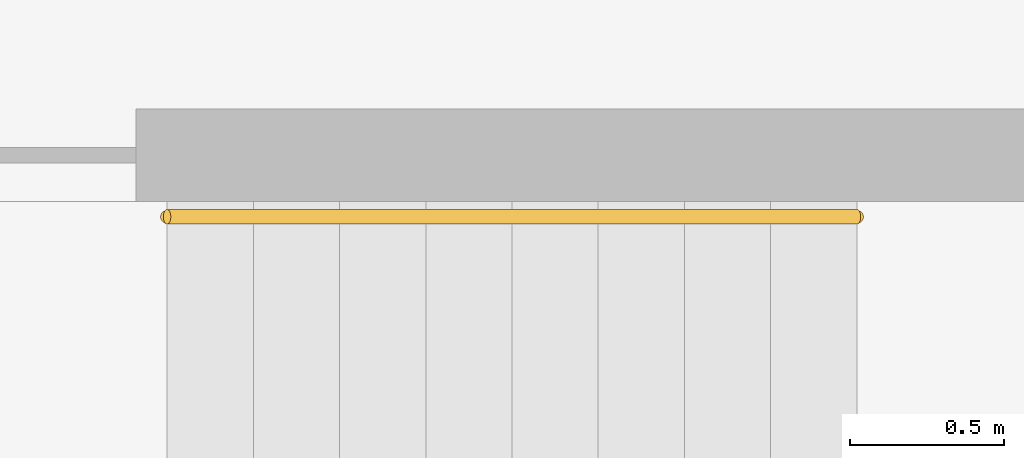
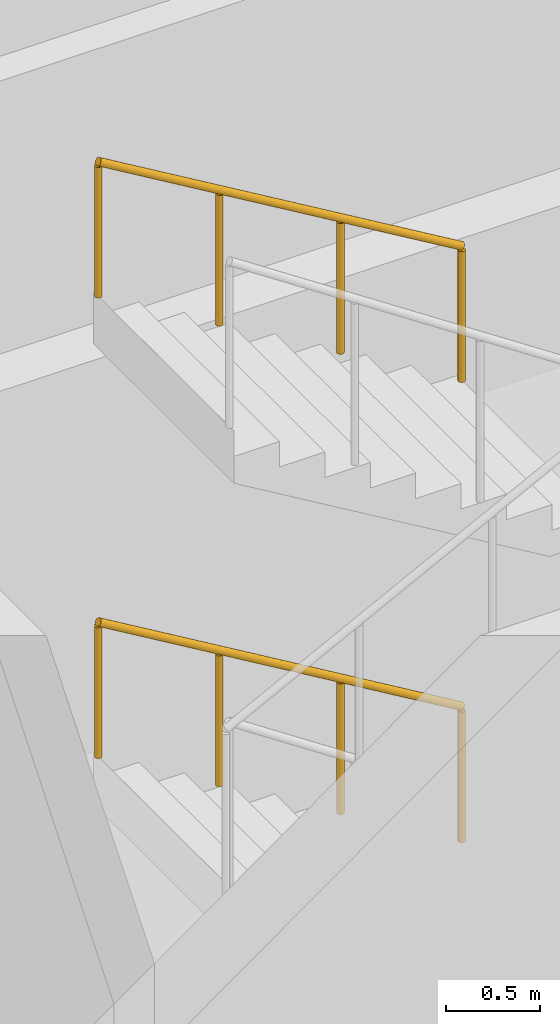
# One storey, part 26 of 27: 2 railings.
"""IFC4 building model written with IfcOpenShell, lengths in metres."""

from ifc_helpers import new_model, si_unit, direction, frame, origin, origin_2d, place, context, subcontext, project, spatial, circle, extrude, material, type_object, element, save


model = new_model("IFC4")

# Units and contexts
model_context = context("Model", 3, precision=1e-05, world=origin(), true_north=direction((0.0, 1.0)))
body_context = subcontext(model_context, "Body", "Model", "MODEL_VIEW")
ifc_project = project(units=[si_unit("LENGTHUNIT", "METRE"), si_unit("AREAUNIT", "SQUARE_METRE"), si_unit("VOLUMEUNIT", "CUBIC_METRE"), si_unit("PLANEANGLEUNIT", "RADIAN"), si_unit("MASSUNIT", "GRAM", prefix="KILO")], contexts=[model_context])

# Site, building, storey
site_placement = place(None, origin())
site = spatial("IfcSite", under=ifc_project, at=site_placement, CompositionType="ELEMENT")
building_placement = place(site_placement, origin())
building = spatial("IfcBuilding", under=site, at=building_placement, Name="Kajstack Hotel Tower", CompositionType="ELEMENT")
storey_placement = place(building_placement, frame((0.0, 0.0, 11.0)))
storey = spatial("IfcBuildingStorey", under=building, at=storey_placement, Name="L01", CompositionType="ELEMENT", Elevation=11.0)

# Railings
ifc_material = material(Name="Steel S355J2", Category="steel")
railing_type = type_object("IfcRailingType", Name="Stair handrail 900", PredefinedType="HANDRAIL", material=ifc_material)
for number, where, name in (
    (1, (27.93994140625, 15.14990234375, 1.666748046875), "L01 E3 stair handrail 2"),
    (2, (27.93994140625, 15.14990234375, 4.666748046875), "L01 E3 stair handrail 4"),
):
    element("IfcRailing", number, at=place(storey_placement, frame(where)), inside=storey, type_object=railing_type, Name=name, PredefinedType="HANDRAIL", context=body_context, shape_type="SweptSolid", body=[
        extrude(circle(Radius=0.02392578125, at=origin_2d()), frame((0.0, 0.0, 0.8759765625), z_axis=(-0.859305625298, 0.0, 0.511462454469), x_axis=(0.0, -1.0, 0.0)), (0.0, 0.0, 1.0), 2.606689453125),
        extrude(circle(Radius=0.02099609375, at=origin_2d()), origin(), (0.0, 0.0, 1.0), 0.851806640625),
        extrude(circle(Radius=0.02099609375, at=origin_2d()), frame((-0.74658203125, 0.0, 0.4443359375)), (0.0, 0.0, 1.0), 0.851806640625),
        extrude(circle(Radius=0.02099609375, at=origin_2d()), frame((-1.493408203125, 0.0, 0.888916015625)), (0.0, 0.0, 1.0), 0.851806640625),
        extrude(circle(Radius=0.02099609375, at=origin_2d()), frame((-2.239990234375, 0.0, 1.333251953125)), (0.0, 0.0, 1.0), 0.851806640625),
    ])

save(model, "model.ifc")
